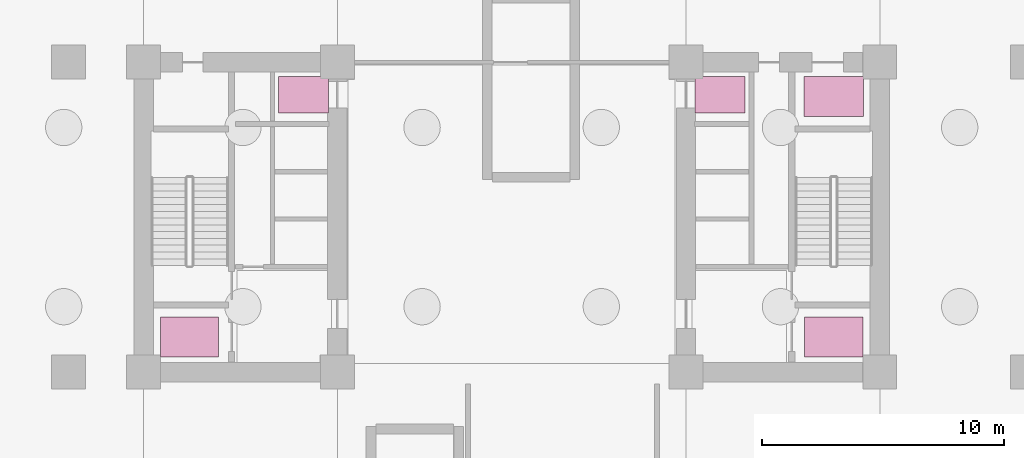
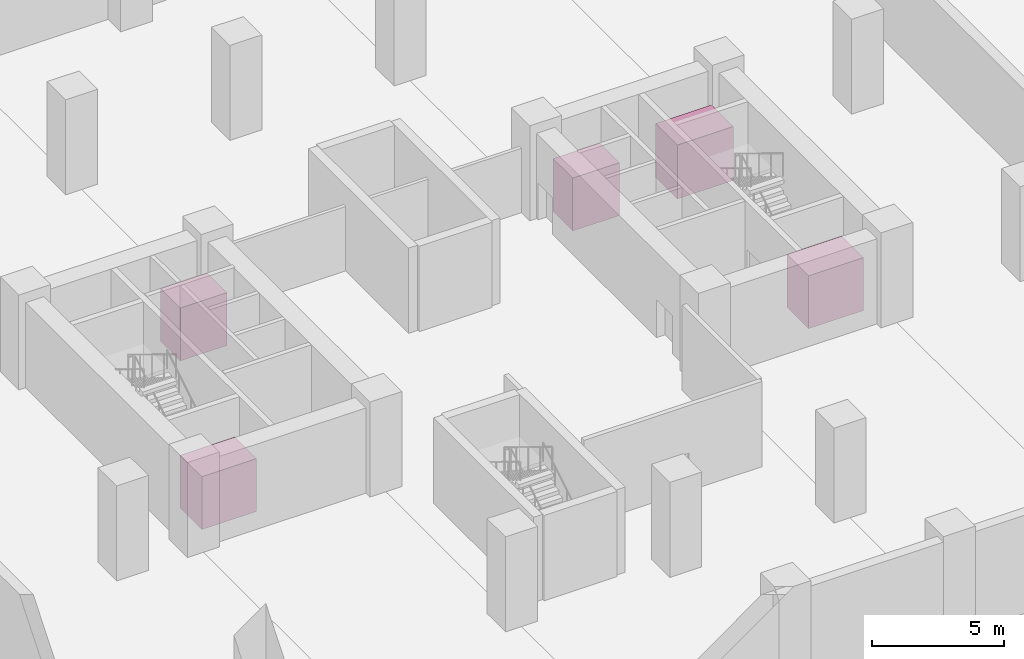
# One storey, part 6 of 6: 5 transport elements.
"""IFC4 building model written with IfcOpenShell, lengths in metres."""

from ifc_helpers import new_model, si_unit, direction, frame, origin, origin_2d, place, context, subcontext, project, spatial, rectangle, extrude, material, type_object, element, save


model = new_model("IFC4")

# Units and contexts
model_context = context("Model", 3, precision=1e-05, world=origin(), true_north=direction((0.0, 1.0)))
body_context = subcontext(model_context, "Body", "Model", "MODEL_VIEW")
ifc_project = project(units=[si_unit("LENGTHUNIT", "METRE"), si_unit("AREAUNIT", "SQUARE_METRE"), si_unit("VOLUMEUNIT", "CUBIC_METRE"), si_unit("PLANEANGLEUNIT", "RADIAN"), si_unit("MASSUNIT", "GRAM", prefix="KILO")], contexts=[model_context])

# Site, building, storey
site_placement = place(None, origin())
site = spatial("IfcSite", under=ifc_project, at=site_placement, CompositionType="ELEMENT")
building_placement = place(site_placement, origin())
building = spatial("IfcBuilding", under=site, at=building_placement, Name="Kranthara Brick Stack", CompositionType="ELEMENT")
storey_placement = place(building_placement, frame((0.0, 0.0, -4.800048828125)))
storey = spatial("IfcBuildingStorey", under=building, at=storey_placement, Name="B01", CompositionType="ELEMENT", Elevation=-4.800048828125)

# Transport elements
ifc_material_1 = material(Name="Fire-rated stainless steel firefighting lift car", Category="steel")
transport_element_type_1 = type_object("IfcTransportElementType", Name="LFT-FIRE-1600", PredefinedType="ELEVATOR", material=ifc_material_1)
for number, where, z_axis, x_axis, name in (
    (1, (14.699951171875, 22.25, 0.39990234375), (0.0, 0.0, 1.0), (1.0, 0.0, 0.0), "Firefighting Lift FF-01"),
    (2, (41.300048828125, 22.25, 0.39990234375), (0.0, 0.0, 1.0), (1.0, 0.0, 0.0), "Firefighting Lift FF-02"),
):
    element("IfcTransportElement", number, at=place(storey_placement, frame(where, z_axis=z_axis, x_axis=x_axis)), inside=storey, type_object=transport_element_type_1, Name=name, PredefinedType="ELEVATOR", context=body_context, shape_type="SweptSolid", body=[
        extrude(rectangle(XDim=2.39990234375, YDim=1.64990234375, at=origin_2d()), origin(), (0.0, 0.0, 1.0), 2.449951171875),
    ])
ifc_material_2 = material(Name="Brushed stainless steel elevator car", Category="steel")
transport_element_type_2 = type_object("IfcTransportElementType", Name="LFT-PASS-1600", PredefinedType="ELEVATOR", material=ifc_material_2)
for number, where, z_axis, x_axis, name in (
    (3, (19.39990234375, 32.25, 0.39990234375), (0.0, 0.0, 1.0), (1.0, 0.0, 0.0), "High-Rise Passenger Lift PL-07"),
    (4, (36.60009765625, 32.25, 0.39990234375), (0.0, 0.0, 1.0), (1.0, 0.0, 0.0), "High-Rise Passenger Lift PL-08"),
):
    element("IfcTransportElement", number, at=place(storey_placement, frame(where, z_axis=z_axis, x_axis=x_axis)), inside=storey, type_object=transport_element_type_2, Name=name, PredefinedType="ELEVATOR", context=body_context, shape_type="SweptSolid", body=[
        extrude(rectangle(XDim=2.050048828125, YDim=1.5, at=origin_2d()), origin(), (0.0, 0.0, 1.0), 2.449951171875),
    ])
ifc_material_3 = material(Name="Heavy-duty stainless steel stretcher service car", Category="steel")
transport_element_type_3 = type_object("IfcTransportElementType", Name="LFT-SERV-2000", PredefinedType="ELEVATOR", material=ifc_material_3)
transport_element_placement = place(storey_placement, frame((41.300048828125, 32.175048828125, 0.400146484375), z_axis=(0.0, 0.0, 1.0), x_axis=(1.0, 0.0, 0.0)))
element("IfcTransportElement", 5, at=transport_element_placement, inside=storey, type_object=transport_element_type_3, Name="Service and Stretcher Lift SV-01", PredefinedType="ELEVATOR", context=body_context, shape_type="SweptSolid", body=[
    extrude(rectangle(XDim=2.449951171875, YDim=1.64990234375, at=origin_2d()), origin(), (0.0, 0.0, 1.0), 2.5),
])

save(model, "model.ifc")
